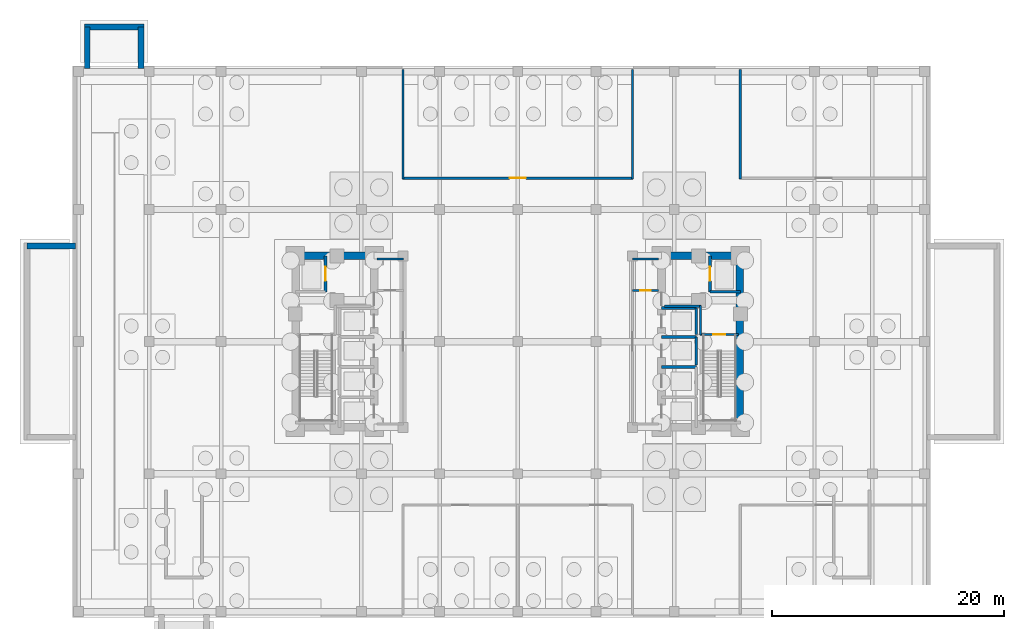
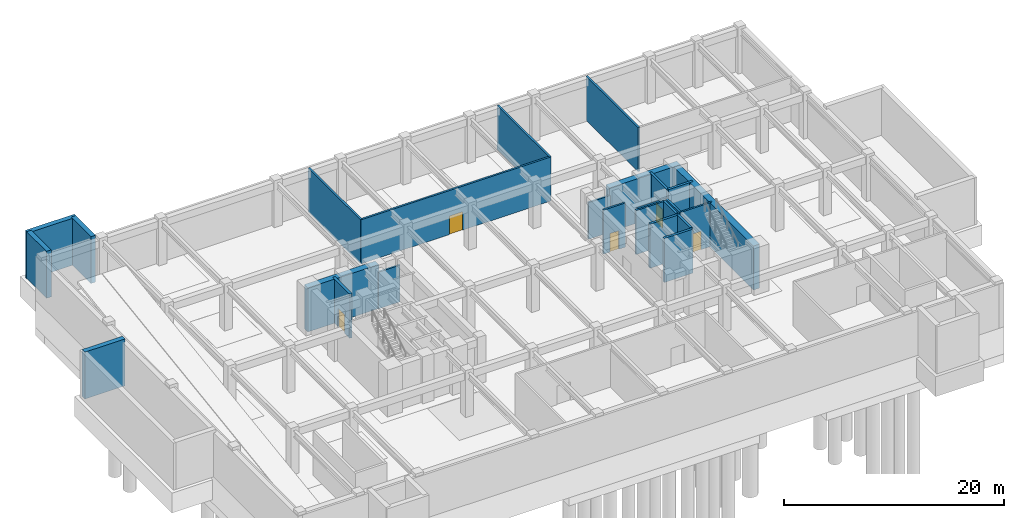
# One storey, part 7 of 11: 25 walls, 5 doors, 5 openings.
"""IFC4 building model written with IfcOpenShell, lengths in metres."""

from ifc_helpers import new_model, si_unit, direction, frame, frame_2d, origin, place, context, subcontext, project, spatial, rectangle, extrude, material, layer, layer_set, type_object, element, fill, save


model = new_model("IFC4")

# Units and contexts
model_context = context("Model", 3, precision=1e-05, world=origin(), true_north=direction((0.0, 1.0)))
body_context = subcontext(model_context, "Body", "Model", "MODEL_VIEW")
ifc_project = project(units=[si_unit("LENGTHUNIT", "METRE"), si_unit("AREAUNIT", "SQUARE_METRE"), si_unit("VOLUMEUNIT", "CUBIC_METRE"), si_unit("PLANEANGLEUNIT", "RADIAN"), si_unit("MASSUNIT", "GRAM", prefix="KILO")], contexts=[model_context])

# Site, building, storey
site_placement = place(None, origin())
site = spatial("IfcSite", under=ifc_project, at=site_placement, CompositionType="ELEMENT")
building_placement = place(site_placement, origin())
building = spatial("IfcBuilding", under=site, at=building_placement, Name="Voryun Gate Residences", CompositionType="ELEMENT")
storey_placement = place(building_placement, frame((0.0, 0.0, -10.39990234375)))
storey = spatial("IfcBuildingStorey", under=building, at=storey_placement, Name="B02", CompositionType="ELEMENT", Elevation=-10.39990234375)

# Walls
ifc_material_1 = material(Name="Concrete C50/60", Category="concrete")
ifc_layer_1 = layer(ifc_material_1, 0.5, Name="CW_BSMT_RET_500")
ifc_layer_set_1 = layer_set([ifc_layer_1], Name="Concrete C50/60")
wall_type_1 = type_object("IfcWallType", Name="CW_BSMT_RET_500", PredefinedType="USERDEFINED", material=ifc_layer_set_1)
for number, where, z_axis, x_axis, name in (
    (1, (-37.14990234375, 23.550048828125, 0.0), (0.0, 0.0, 1.0), (0.0, 1.0, 0.0), "B02 Apron Foundation Wall SLB-PAV-VEH-APRON-L"),
    (2, (-32.5, 23.550048828125, 0.0), (0.0, 0.0, 1.0), (0.0, 1.0, 0.0), "B02 Apron Foundation Wall SLB-PAV-VEH-APRON-R"),
):
    element("IfcWall", number, at=place(storey_placement, frame(where, z_axis=z_axis, x_axis=x_axis)), inside=storey, type_object=wall_type_1, Name=name, ObjectType="RETAININGWALL", PredefinedType="USERDEFINED", context=body_context, shape_type="SweptSolid", body=[
        extrude(rectangle(XDim=3.599853515625, YDim=0.5, at=frame_2d((1.7998046875, 0.0))), origin(), (0.0, 0.0, 1.0), 5.199951171875),
    ])
wall_1_placement = place(storey_placement, frame((-37.39990234375, 27.14990234375, 0.0), z_axis=(0.0, 0.0, 1.0), x_axis=(1.0, 0.0, 0.0)))
element("IfcWall", 3, at=wall_1_placement, inside=storey, type_object=wall_type_1, Name="B02 Apron Foundation Wall SLB-PAV-VEH-APRON-O", ObjectType="RETAININGWALL", PredefinedType="USERDEFINED", context=body_context, shape_type="SweptSolid", body=[
    extrude(rectangle(XDim=5.14990234375, YDim=0.5, at=frame_2d((2.574951171875, 0.0))), origin(), (0.0, 0.0, 1.0), 5.199951171875),
])
wall_2_placement = place(storey_placement, frame((-42.35009765625, 8.25, 0.0), z_axis=(0.0, 0.0, 1.0), x_axis=(1.0, 0.0, 0.0)))
element("IfcWall", 4, at=wall_2_placement, inside=storey, type_object=wall_type_1, Name="B02 Plaza Foundation Wall SLB-PAV-WEST-PLAZA-N", ObjectType="RETAININGWALL", PredefinedType="USERDEFINED", context=body_context, shape_type="SweptSolid", body=[
    extrude(rectangle(XDim=4.2001953125, YDim=0.5, at=frame_2d((2.10009765625, 0.0))), origin(), (0.0, 0.0, 1.0), 5.199951171875),
])
ifc_material_2 = material(Name="Concrete C60/75", Category="concrete")
ifc_layer_2 = layer(ifc_material_2, 0.64990234375, Name="CW_CORE_650")
ifc_layer_set_2 = layer_set([ifc_layer_2], Name="Concrete C60/75")
wall_type_2 = type_object("IfcWallType", Name="CW_CORE_650", PredefinedType="SHEAR", material=ifc_layer_set_2)
for number, where, z_axis, x_axis, name in (
    (5, (-19.52490234375, 7.39990234375, 0.0), (0.0, 0.0, 1.0), (1.0, 0.0, 0.0), "B02 Core shear wall CW-B02-WN"),
    (6, (12.074951171875, 7.39990234375, 0.0), (0.0, 0.0, 1.0), (1.0, 0.0, 0.0), "B02 Core shear wall CW-B02-EN"),
):
    element("IfcWall", number, at=place(storey_placement, frame(where, z_axis=z_axis, x_axis=x_axis)), inside=storey, type_object=wall_type_2, Name=name, PredefinedType="SHEAR", context=body_context, shape_type="SweptSolid", body=[
        extrude(rectangle(XDim=7.449951171875, YDim=0.64990234375, at=frame_2d((3.72509765625, 0.0))), origin(), (0.0, 0.0, 1.0), 4.8798828125),
    ])
wall_3_placement = place(storey_placement, frame((19.14501953125, -7.39990234375, 0.0), z_axis=(0.0, 0.0, 1.0), x_axis=(0.0, 1.0, 0.0)))
element("IfcWall", 7, at=wall_3_placement, inside=storey, type_object=wall_type_2, Name="B02 Core shear wall CW-B02-EE", PredefinedType="SHEAR", context=body_context, shape_type="SweptSolid", body=[
    extrude(rectangle(XDim=14.7998046875, YDim=0.64990234375, at=frame_2d((7.39990234375, 0.0))), origin(), (0.0, 0.0, 1.0), 4.8798828125),
])
ifc_material_3 = material(Name="Gypsum acoustic fireboard")
ifc_layer_3 = layer(ifc_material_3, 0.179931640625, Name="W_CORR_RATED_180")
ifc_layer_set_3 = layer_set([ifc_layer_3], Name="Gypsum acoustic fireboard")
wall_type_3 = type_object("IfcWallType", Name="W_CORR_RATED_180", PredefinedType="PARTITIONING", material=ifc_layer_set_3)
wall_4_placement = place(storey_placement, frame((-12.14990234375, 7.1201171875, 0.0), z_axis=(0.0, 0.0, 1.0), x_axis=(1.0, 0.0, 0.0)))
element("IfcWall", 8, at=wall_4_placement, inside=storey, type_object=wall_type_3, Name="Partition wall WP-B02-PLBN-W", PredefinedType="PARTITIONING", context=body_context, shape_type="SweptSolid", body=[
    extrude(rectangle(XDim=2.27001953125, YDim=0.179931640625, at=frame_2d((1.135009765625, 0.0))), origin(), (0.0, 0.0, 1.0), 4.06982421875),
])

# Wall, opening, door
wall_5_placement = place(storey_placement, frame((15.699951171875, 0.60009765625, 0.0), z_axis=(0.0, 0.0, 1.0), x_axis=(1.0, 0.0, 0.0)))
wall_5 = element("IfcWall", 9, at=wall_5_placement, inside=storey, type_object=wall_type_3, Name="Partition wall WP-B02-STV-E", PredefinedType="PARTITIONING", context=body_context, shape_type="SweptSolid", body=[
    extrude(rectangle(XDim=3.360107421875, YDim=0.179931640625, at=frame_2d((1.68017578125, 0.0))), origin(), (0.0, 0.0, 1.0), 4.8798828125),
])
opening_1_placement = place(wall_5_placement, frame((1.155029296875, 0.0, 0.0)))
opening_1 = element("IfcOpeningElement", 10, at=opening_1_placement, cuts=wall_5, Name="Opening D-FD60-1", PredefinedType="OPENING", context=body_context, shape_type="SweptSolid", body=[
    extrude(rectangle(XDim=1.050048828125, YDim=2.050048828125, at=frame_2d((0.52490234375, 1.02490234375))), frame((0.0, 0.099853515625, 0.0), z_axis=(0.0, -1.0, 0.0), x_axis=(1.0, 0.0, 0.0)), (0.0, 0.0, 1.0), 0.199951171875),
])
ifc_material_4 = material(Name="Painted steel fire door", Category="steel")
door_type_1 = type_object("IfcDoorType", Name="DR_FD60_STAIR_1050", OperationType="NOTDEFINED", PredefinedType="DOOR", material=ifc_material_4)
door_1_placement = place(opening_1_placement, origin())
door_1 = element("IfcDoor", 11, at=door_1_placement, inside=storey, type_object=door_type_1, Name="Door DR-B02-ST-E", OperationType="SINGLE_SWING_RIGHT", OverallHeight=2.050048828125, OverallWidth=1.050048828125, PredefinedType="DOOR", context=body_context, shape_type="SweptSolid", body=[
    extrude(rectangle(XDim=1.050048828125, YDim=2.050048828125, at=frame_2d((0.52490234375, 1.02490234375))), frame((0.0, 0.02490234375, 0.0), z_axis=(0.0, -1.0, 0.0), x_axis=(1.0, 0.0, 0.0)), (0.0, 0.0, 1.0), 0.050048828125),
])
fill(opening_1, door_1)

# Walls
wall_6_placement = place(storey_placement, frame((9.8798828125, 7.1201171875, 0.0), z_axis=(0.0, 0.0, 1.0), x_axis=(1.0, 0.0, 0.0)))
element("IfcWall", 12, at=wall_6_placement, inside=storey, type_object=wall_type_3, Name="Partition wall WP-B02-PLBN-E", PredefinedType="PARTITIONING", context=body_context, shape_type="SweptSolid", body=[
    extrude(rectangle(XDim=2.27001953125, YDim=0.179931640625, at=frame_2d((1.135009765625, 0.0))), origin(), (0.0, 0.0, 1.0), 4.06982421875),
])
ifc_material_5 = material(Name="Concrete C40/50", Category="concrete")
ifc_layer_4 = layer(ifc_material_5, 0.199951171875, Name="W_FF_LOBBY_200")
ifc_layer_set_4 = layer_set([ifc_layer_4], Name="Concrete C40/50")
wall_type_4 = type_object("IfcWallType", Name="W_FF_LOBBY_200", PredefinedType="PARTITIONING", material=ifc_layer_set_4)
wall_7_placement = place(storey_placement, frame((15.760009765625, 0.580078125, 0.0), z_axis=(0.0, 0.0, 1.0), x_axis=(0.0, 1.0, 0.0)))
element("IfcWall", 13, at=wall_7_placement, inside=storey, type_object=wall_type_4, Name="Partition wall WP-B02-FFP0-E", PredefinedType="PARTITIONING", context=body_context, shape_type="SweptSolid", body=[
    extrude(rectangle(XDim=2.52001953125, YDim=0.199951171875, at=frame_2d((1.260009765625, 0.0))), origin(), (0.0, 0.0, 1.0), 4.8798828125),
])
wall_8_placement = place(storey_placement, frame((12.659912109375, 3.06005859375, 0.0), z_axis=(0.0, 0.0, 1.0), x_axis=(1.0, 0.0, 0.0)))
element("IfcWall", 14, at=wall_8_placement, inside=storey, type_object=wall_type_4, Name="Partition wall WP-B02-FFPS-E", PredefinedType="PARTITIONING", context=body_context, shape_type="SweptSolid", body=[
    extrude(rectangle(XDim=3.16015625, YDim=0.199951171875, at=frame_2d((1.580078125, 0.0))), origin(), (0.0, 0.0, 1.0), 4.8798828125),
])

# Wall, opening, door
wall_9_placement = place(storey_placement, frame((9.8798828125, 4.409912109375, 0.0), z_axis=(0.0, 0.0, 1.0), x_axis=(1.0, 0.0, 0.0)))
wall_9 = element("IfcWall", 15, at=wall_9_placement, inside=storey, type_object=wall_type_4, Name="Partition wall WP-B02-CSFLKS-E", PredefinedType="PARTITIONING", context=body_context, shape_type="SweptSolid", body=[
    extrude(rectangle(XDim=2.27001953125, YDim=0.199951171875, at=frame_2d((1.135009765625, 0.0))), origin(), (0.0, 0.0, 1.0), 4.8798828125),
])
opening_2_placement = place(wall_9_placement, frame((0.68505859375, 0.0, 0.0)))
opening_2 = element("IfcOpeningElement", 16, at=opening_2_placement, cuts=wall_9, Name="Opening D-FD60-4", PredefinedType="OPENING", context=body_context, shape_type="SweptSolid", body=[
    extrude(rectangle(XDim=0.89990234375, YDim=2.050048828125, at=frame_2d((0.449951171875, 1.02490234375))), frame((0.0, 0.110107421875, 0.0), z_axis=(0.0, -1.0, 0.0), x_axis=(1.0, 0.0, 0.0)), (0.0, 0.0, 1.0), 0.219970703125),
])
ifc_material_6 = material(Name="Painted steel fire door", Category="steel")
door_type_2 = type_object("IfcDoorType", Name="DR_FD60_RISER_900", OperationType="NOTDEFINED", PredefinedType="DOOR", material=ifc_material_6)
door_2_placement = place(opening_2_placement, origin())
door_2 = element("IfcDoor", 17, at=door_2_placement, inside=storey, type_object=door_type_2, Name="Door DR-B02-CSFLK-E", OperationType="SINGLE_SWING_RIGHT", OverallHeight=2.050048828125, OverallWidth=0.89990234375, PredefinedType="DOOR", context=body_context, shape_type="SweptSolid", body=[
    extrude(rectangle(XDim=0.89990234375, YDim=2.050048828125, at=frame_2d((0.449951171875, 1.02490234375))), frame((0.0, 0.02490234375, 0.0), z_axis=(0.0, -1.0, 0.0), x_axis=(1.0, 0.0, 0.0)), (0.0, 0.0, 1.0), 0.050048828125),
])
fill(opening_2, door_2)

# Walls
for number, where, z_axis, x_axis, name in (
    (18, (-9.89990234375, 14.050048828125, 0.0), (0.0, 0.0, 1.0), (0.0, 1.0, 0.0), "Partition wall WP-B02-PLW-N"),
    (19, (9.89990234375, 14.050048828125, 0.0), (0.0, 0.0, 1.0), (0.0, 1.0, 0.0), "Partition wall WP-B02-PLE-N"),
    (20, (19.199951171875, 14.050048828125, 0.0), (0.0, 0.0, 1.0), (0.0, 1.0, 0.0), "Partition wall WP-B02-PLE2-N"),
):
    element("IfcWall", number, at=place(storey_placement, frame(where, z_axis=z_axis, x_axis=x_axis)), inside=storey, type_object=wall_type_4, Name=name, PredefinedType="PARTITIONING", context=body_context, shape_type="SweptSolid", body=[
        extrude(rectangle(XDim=9.449951171875, YDim=0.199951171875, at=frame_2d((4.72509765625, 0.0))), origin(), (0.0, 0.0, 1.0), 4.8798828125),
    ])

# Wall, opening, door
wall_10_placement = place(storey_placement, frame((-9.949951171875, 14.10009765625, 0.0), z_axis=(0.0, 0.0, 1.0), x_axis=(1.0, 0.0, 0.0)))
wall_10 = element("IfcWall", 21, at=wall_10_placement, inside=storey, type_object=wall_type_4, Name="Partition wall WP-B02-PLNT-NC", PredefinedType="PARTITIONING", context=body_context, shape_type="SweptSolid", body=[
    extrude(rectangle(XDim=19.89990234375, YDim=0.199951171875, at=frame_2d((9.949951171875, 0.0))), origin(), (0.0, 0.0, 1.0), 4.8798828125),
])
opening_3_placement = place(wall_10_placement, frame((9.25, 0.0, 0.0)))
opening_3 = element("IfcOpeningElement", 22, at=opening_3_placement, cuts=wall_10, Name="Opening D-FD60-3", PredefinedType="OPENING", context=body_context, shape_type="SweptSolid", body=[
    extrude(rectangle(XDim=1.39990234375, YDim=2.050048828125, at=frame_2d((0.699951171875, 1.02490234375))), frame((0.0, 0.110107421875, 0.0), z_axis=(0.0, -1.0, 0.0), x_axis=(1.0, 0.0, 0.0)), (0.0, 0.0, 1.0), 0.219970703125),
])
ifc_material_7 = material(Name="Painted steel fire door", Category="steel")
door_type_3 = type_object("IfcDoorType", Name="DR_FD60_PLANT_1400", OperationType="NOTDEFINED", PredefinedType="DOOR", material=ifc_material_7)
door_3_placement = place(opening_3_placement, origin())
door_3 = element("IfcDoor", 23, at=door_3_placement, inside=storey, type_object=door_type_3, Name="Door DR-B02-PL1-N", OperationType="DOUBLE_DOOR_SINGLE_SWING", OverallHeight=2.050048828125, OverallWidth=1.39990234375, PredefinedType="DOOR", context=body_context, shape_type="SweptSolid", body=[
    extrude(rectangle(XDim=1.39990234375, YDim=2.050048828125, at=frame_2d((0.699951171875, 1.02490234375))), frame((0.0, 0.02490234375, 0.0), z_axis=(0.0, -1.0, 0.0), x_axis=(1.0, 0.0, 0.0)), (0.0, 0.0, 1.0), 0.050048828125),
])
fill(opening_3, door_3)

ifc_material_8 = material(Name="Concrete C50/60", Category="concrete")
ifc_layer_5 = layer(ifc_material_8, 0.25, Name="W_SHAFT_RC250")
ifc_layer_set_5 = layer_set([ifc_layer_5], Name="Concrete C50/60")
wall_type_5 = type_object("IfcWallType", Name="W_SHAFT_RC250", PredefinedType="SOLIDWALL", material=ifc_layer_set_5)
wall_11_placement = place(storey_placement, frame((-16.60009765625, 4.300048828125, 0.0), z_axis=(0.0, 0.0, 1.0), x_axis=(0.0, 1.0, 0.0)))
wall_11 = element("IfcWall", 24, at=wall_11_placement, inside=storey, type_object=wall_type_5, Name="Lift shaft wall WSH-B02-EL-FF-W1-E", PredefinedType="SOLIDWALL", context=body_context, shape_type="SweptSolid", body=[
    extrude(rectangle(XDim=3.099853515625, YDim=0.25, at=frame_2d((1.5498046875, 0.0))), origin(), (0.0, 0.0, 1.0), 4.8798828125),
])
opening_4_placement = place(wall_11_placement, frame((0.949951171875, 0.0, 0.0)))
opening_4 = element("IfcOpeningElement", 25, at=opening_4_placement, cuts=wall_11, Name="Opening LD1", PredefinedType="OPENING", context=body_context, shape_type="SweptSolid", body=[
    extrude(rectangle(XDim=1.199951171875, YDim=2.050048828125, at=frame_2d((0.60009765625, 1.02490234375))), frame((0.0, 0.135009765625, 0.0), z_axis=(0.0, -1.0, 0.0), x_axis=(1.0, 0.0, 0.0)), (0.0, 0.0, 1.0), 0.27001953125),
])
ifc_material_9 = material(Name="Anodised aluminium", Category="aluminium")
door_type_4 = type_object("IfcDoorType", Name="DR_LD_FF_1200", OperationType="NOTDEFINED", PredefinedType="DOOR", material=ifc_material_9)
door_4_placement = place(opening_4_placement, origin())
door_4 = element("IfcDoor", 26, at=door_4_placement, inside=storey, type_object=door_type_4, Name="Lift EL-FF-W1 sliding landing door B02", OperationType="SLIDING_TO_LEFT", OverallHeight=2.050048828125, OverallWidth=1.199951171875, PredefinedType="DOOR", context=body_context, shape_type="SweptSolid", body=[
    extrude(rectangle(XDim=1.199951171875, YDim=2.050048828125, at=frame_2d((0.60009765625, 1.02490234375))), frame((0.0, 0.02490234375, 0.0), z_axis=(0.0, -1.0, 0.0), x_axis=(1.0, 0.0, 0.0)), (0.0, 0.0, 1.0), 0.050048828125),
])
fill(opening_4, door_4)

# Wall
wall_12_placement = place(storey_placement, frame((16.60009765625, 4.300048828125, 0.0), z_axis=(0.0, 0.0, 1.0), x_axis=(1.0, 0.0, 0.0)))
element("IfcWall", 27, at=wall_12_placement, inside=storey, type_object=wall_type_5, Name="Lift shaft wall WSH-B02-EL-FF-E1-S", PredefinedType="SOLIDWALL", context=body_context, shape_type="SweptSolid", body=[
    extrude(rectangle(XDim=2.599853515625, YDim=0.25, at=frame_2d((1.2998046875, 0.0))), origin(), (0.0, 0.0, 1.0), 4.8798828125),
])

# Wall, opening, door
wall_13_placement = place(storey_placement, frame((16.60009765625, 7.39990234375, 0.0), z_axis=(0.0, 0.0, 1.0), x_axis=(0.0, -1.0, 0.0)))
wall_13 = element("IfcWall", 28, at=wall_13_placement, inside=storey, type_object=wall_type_5, Name="Lift shaft wall WSH-B02-EL-FF-E1-W", PredefinedType="SOLIDWALL", context=body_context, shape_type="SweptSolid", body=[
    extrude(rectangle(XDim=3.099853515625, YDim=0.25, at=frame_2d((1.5498046875, 0.0))), origin(), (0.0, 0.0, 1.0), 4.8798828125),
])
opening_5_placement = place(wall_13_placement, frame((0.949951171875, 0.0, 0.0)))
opening_5 = element("IfcOpeningElement", 29, at=opening_5_placement, cuts=wall_13, Name="Opening LD1", PredefinedType="OPENING", context=body_context, shape_type="SweptSolid", body=[
    extrude(rectangle(XDim=1.199951171875, YDim=2.050048828125, at=frame_2d((0.60009765625, 1.02490234375))), frame((0.0, 0.135009765625, 0.0), z_axis=(0.0, -1.0, 0.0), x_axis=(1.0, 0.0, 0.0)), (0.0, 0.0, 1.0), 0.27001953125),
])
door_5_placement = place(opening_5_placement, origin())
door_5 = element("IfcDoor", 30, at=door_5_placement, inside=storey, type_object=door_type_4, Name="Lift EL-FF-E1 sliding landing door B02", OperationType="SLIDING_TO_LEFT", OverallHeight=2.050048828125, OverallWidth=1.199951171875, PredefinedType="DOOR", context=body_context, shape_type="SweptSolid", body=[
    extrude(rectangle(XDim=1.199951171875, YDim=2.050048828125, at=frame_2d((0.60009765625, 1.02490234375))), frame((0.0, 0.02490234375, 0.0), z_axis=(0.0, -1.0, 0.0), x_axis=(1.0, 0.0, 0.0)), (0.0, 0.0, 1.0), 0.050048828125),
])
fill(opening_5, door_5)

# Walls
wall_14_placement = place(storey_placement, frame((15.39990234375, -2.199951171875, 0.0), z_axis=(0.0, 0.0, 1.0), x_axis=(-1.0, 0.0, 0.0)))
element("IfcWall", 31, at=wall_14_placement, inside=storey, type_object=wall_type_5, Name="Lift shaft wall WSH-B02-EL-P5-N", PredefinedType="SOLIDWALL", context=body_context, shape_type="SweptSolid", body=[
    extrude(rectangle(XDim=3.0, YDim=0.25, at=frame_2d((1.5, 0.0))), origin(), (0.0, 0.0, 1.0), 4.8798828125),
])
wall_15_placement = place(storey_placement, frame((15.39990234375, -2.0, 0.0), z_axis=(0.0, 0.0, 1.0), x_axis=(0.0, 1.0, 0.0)))
element("IfcWall", 32, at=wall_15_placement, inside=storey, type_object=wall_type_5, Name="Lift shaft wall WSH-B02-EL-P6-E", PredefinedType="SOLIDWALL", context=body_context, shape_type="SweptSolid", body=[
    extrude(rectangle(XDim=2.39990234375, YDim=0.25, at=frame_2d((1.199951171875, 0.0))), origin(), (0.0, 0.0, 1.0), 4.8798828125),
])
wall_16_placement = place(storey_placement, frame((15.39990234375, 0.39990234375, 0.0), z_axis=(0.0, 0.0, 1.0), x_axis=(-1.0, 0.0, 0.0)))
element("IfcWall", 33, at=wall_16_placement, inside=storey, type_object=wall_type_5, Name="Lift shaft wall WSH-B02-EL-P6-N", PredefinedType="SOLIDWALL", context=body_context, shape_type="SweptSolid", body=[
    extrude(rectangle(XDim=3.0, YDim=0.25, at=frame_2d((1.5, 0.0))), origin(), (0.0, 0.0, 1.0), 4.8798828125),
])
wall_17_placement = place(storey_placement, frame((15.39990234375, 0.60009765625, 0.0), z_axis=(0.0, 0.0, 1.0), x_axis=(0.0, 1.0, 0.0)))
element("IfcWall", 34, at=wall_17_placement, inside=storey, type_object=wall_type_5, Name="Lift shaft wall WSH-B02-EL-P8-E", PredefinedType="SOLIDWALL", context=body_context, shape_type="SweptSolid", body=[
    extrude(rectangle(XDim=2.2998046875, YDim=0.25, at=frame_2d((1.14990234375, 0.0))), origin(), (0.0, 0.0, 1.0), 4.8798828125),
])
wall_18_placement = place(storey_placement, frame((15.39990234375, 2.89990234375, 0.0), z_axis=(0.0, 0.0, 1.0), x_axis=(-1.0, 0.0, 0.0)))
element("IfcWall", 35, at=wall_18_placement, inside=storey, type_object=wall_type_5, Name="Lift shaft wall WSH-B02-EL-P8-N", PredefinedType="SOLIDWALL", context=body_context, shape_type="SweptSolid", body=[
    extrude(rectangle(XDim=3.0, YDim=0.25, at=frame_2d((1.5, 0.0))), origin(), (0.0, 0.0, 1.0), 4.8798828125),
])

save(model, "model.ifc")
